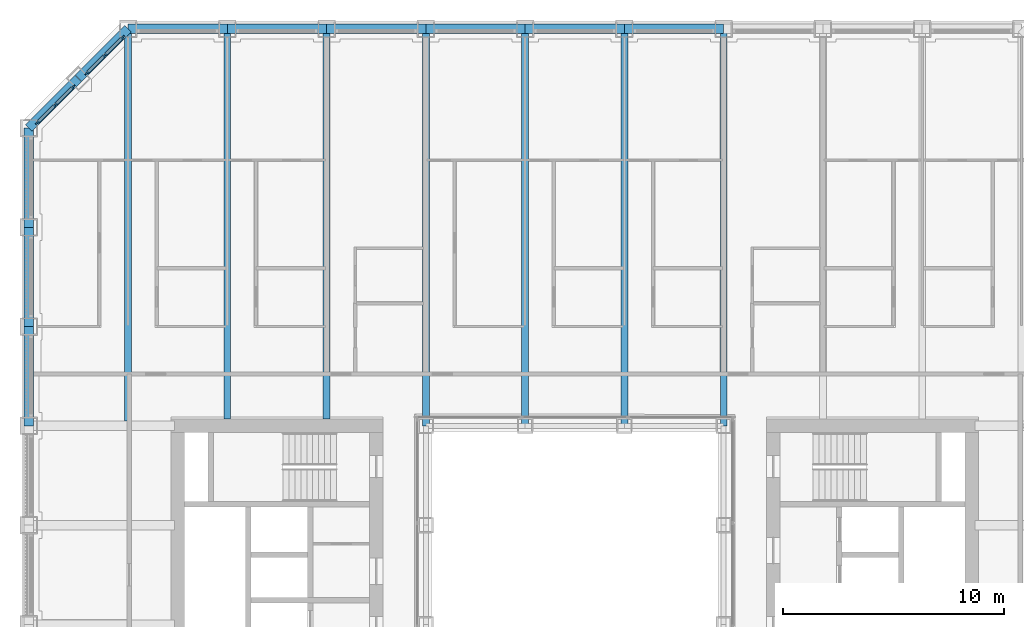
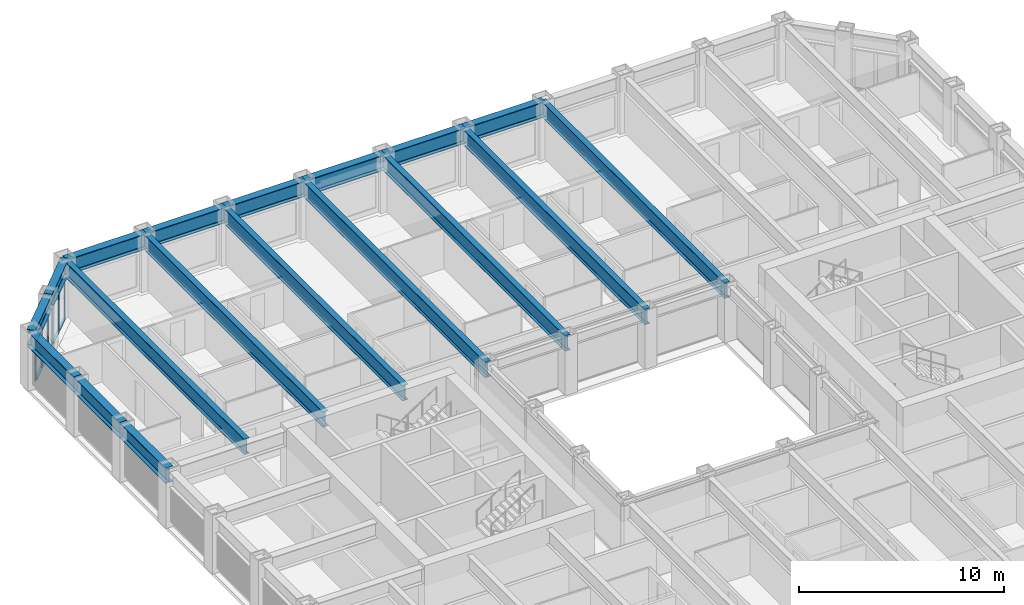
# One storey, part 6 of 20: 18 beams, 14 members, 2 elements without a shape of their own.
"""IFC4 building model written with IfcOpenShell, lengths in metres."""

from ifc_helpers import new_model, si_unit, direction, frame, origin, origin_2d, place, context, subcontext, project, spatial, rectangle, i_section, extrude, material, material_profile, profile_set, type_object, element, aggregate, save


model = new_model("IFC4")

# Units and contexts
model_context = context("Model", 3, precision=1e-05, world=origin(), true_north=direction((0.0, 1.0)))
body_context = subcontext(model_context, "Body", "Model", "MODEL_VIEW")
ifc_project = project(units=[si_unit("LENGTHUNIT", "METRE"), si_unit("AREAUNIT", "SQUARE_METRE"), si_unit("VOLUMEUNIT", "CUBIC_METRE"), si_unit("PLANEANGLEUNIT", "RADIAN"), si_unit("MASSUNIT", "GRAM", prefix="KILO")], contexts=[model_context])

# Site, building, storey
site_placement = place(None, origin())
site = spatial("IfcSite", under=ifc_project, at=site_placement, CompositionType="ELEMENT")
building_placement = place(site_placement, origin())
building = spatial("IfcBuilding", under=site, at=building_placement, Name="Msasa Ring Tower", CompositionType="ELEMENT")
storey_placement = place(building_placement, frame((0.0, 0.0, 65.0)))
storey = spatial("IfcBuildingStorey", under=building, at=storey_placement, Name="L16", CompositionType="ELEMENT", Elevation=65.0)

# Curtain wall, members
ifc_material_1 = material(Name="Aluminium curtain wall with clear glass", Category="aluminium")
curtain_wall_type = type_object("IfcCurtainWallType", Name="CW-C CHAMFER CORNER CURTAIN WALL", PredefinedType="NOTDEFINED", material=ifc_material_1)
curtain_wall_1_placement = place(storey_placement, origin())
curtain_wall_1 = element("IfcCurtainWall", 1, at=curtain_wall_1_placement, inside=storey, type_object=curtain_wall_type, Name="Chamfer corner curtain wall NW L16", PredefinedType="NOTDEFINED")
ifc_material_2 = material(Name="Aluminium mullion", Category="aluminium")
ifc_material_profile_1 = material_profile(ifc_material_2, rectangle(XDim=0.06494140625, YDim=0.179931640625, at=origin_2d()), Name="AL 65x180")
ifc_profile_set_1 = profile_set([ifc_material_profile_1], Name="Aluminium mullion")
member_type_1 = type_object("IfcMemberType", Name="CW-C MULLION 65x180", PredefinedType="MULLION", material=ifc_profile_set_1)
member_1_placement = place(storey_placement, frame((-22.73876953125, 22.119873046875, 0.0), z_axis=(0.0, 0.0, 1.0), x_axis=(0.707106781187, -0.707106781187, 0.0)))
member_1 = element("IfcMember", 2, at=member_1_placement, type_object=member_type_1, Name="CW-C mullion 1", PredefinedType="MULLION", context=body_context, shape_type="SweptSolid", body=[
    extrude(rectangle(XDim=0.06494140625, YDim=0.179931640625, at=origin_2d()), origin(), (0.0, 0.0, 1.0), 2.37890625),
])
member_2_placement = place(storey_placement, frame((-23.55419921875, 21.30419921875, 0.0), z_axis=(0.0, 0.0, 1.0), x_axis=(0.707106781187, -0.707106781187, 0.0)))
member_2 = element("IfcMember", 3, at=member_2_placement, type_object=member_type_1, Name="CW-C mullion 2", PredefinedType="MULLION", context=body_context, shape_type="SweptSolid", body=[
    extrude(rectangle(XDim=0.06494140625, YDim=0.179931640625, at=origin_2d()), origin(), (0.0, 0.0, 1.0), 2.37890625),
])
member_3_placement = place(storey_placement, frame((-24.369873046875, 20.48876953125, 0.0), z_axis=(0.0, 0.0, 1.0), x_axis=(0.707106781187, -0.707106781187, 0.0)))
member_3 = element("IfcMember", 4, at=member_3_placement, type_object=member_type_1, Name="CW-C mullion 3", PredefinedType="MULLION", context=body_context, shape_type="SweptSolid", body=[
    extrude(rectangle(XDim=0.06494140625, YDim=0.179931640625, at=origin_2d()), origin(), (0.0, 0.0, 1.0), 2.37890625),
])

curtain_wall_2_placement = place(storey_placement, origin())
curtain_wall_2 = element("IfcCurtainWall", 5, at=curtain_wall_2_placement, inside=storey, type_object=curtain_wall_type, Name="Chamfer corner curtain wall NW L16", PredefinedType="NOTDEFINED")
member_4_placement = place(storey_placement, frame((-20.48876953125, 24.369873046875, 0.0), z_axis=(0.0, 0.0, 1.0), x_axis=(0.707106781187, -0.707106781187, 0.0)))
member_4 = element("IfcMember", 6, at=member_4_placement, type_object=member_type_1, Name="CW-C mullion 1", PredefinedType="MULLION", context=body_context, shape_type="SweptSolid", body=[
    extrude(rectangle(XDim=0.06494140625, YDim=0.179931640625, at=origin_2d()), origin(), (0.0, 0.0, 1.0), 2.37890625),
])
member_5_placement = place(storey_placement, frame((-21.30419921875, 23.55419921875, 0.0), z_axis=(0.0, 0.0, 1.0), x_axis=(0.707106781187, -0.707106781187, 0.0)))
member_5 = element("IfcMember", 7, at=member_5_placement, type_object=member_type_1, Name="CW-C mullion 2", PredefinedType="MULLION", context=body_context, shape_type="SweptSolid", body=[
    extrude(rectangle(XDim=0.06494140625, YDim=0.179931640625, at=origin_2d()), origin(), (0.0, 0.0, 1.0), 2.37890625),
])
member_6_placement = place(storey_placement, frame((-22.119873046875, 22.73876953125, 0.0), z_axis=(0.0, 0.0, 1.0), x_axis=(0.707106781187, -0.707106781187, 0.0)))
member_6 = element("IfcMember", 8, at=member_6_placement, type_object=member_type_1, Name="CW-C mullion 3", PredefinedType="MULLION", context=body_context, shape_type="SweptSolid", body=[
    extrude(rectangle(XDim=0.06494140625, YDim=0.179931640625, at=origin_2d()), origin(), (0.0, 0.0, 1.0), 2.37890625),
])

# Member
ifc_material_3 = material(Name="Aluminium transom", Category="aluminium")
ifc_material_profile_2 = material_profile(ifc_material_3, rectangle(XDim=0.139892578125, YDim=0.06494140625, at=origin_2d()), Name="AL 65x140")
ifc_profile_set_2 = profile_set([ifc_material_profile_2], Name="Aluminium transom")
member_type_2 = type_object("IfcMemberType", Name="CW-C TRANSOM 65x140", PredefinedType="USERDEFINED", material=ifc_profile_set_2)
member_7_placement = place(storey_placement, frame((-22.76171875, 22.096923828125, 0.032470703125), z_axis=(-0.707106781187, -0.707106781187, 0.0), x_axis=(0.707106781187, -0.707106781187, 0.0)))
member_7 = element("IfcMember", 9, at=member_7_placement, type_object=member_type_2, Name="CW-C transom 1.1", ObjectType="TRANSOM", PredefinedType="USERDEFINED", context=body_context, shape_type="SweptSolid", body=[
    extrude(rectangle(XDim=0.139892578125, YDim=0.06494140625, at=origin_2d()), origin(), (0.0, 0.0, 1.0), 1.08837890625),
])

member_8_placement = place(storey_placement, frame((-22.76171875, 22.096923828125, 2.346435546875), z_axis=(-0.707106781187, -0.707106781187, 0.0), x_axis=(0.707106781187, -0.707106781187, 0.0)))
member_8 = element("IfcMember", 10, at=member_8_placement, type_object=member_type_2, Name="CW-C transom 1.2", ObjectType="TRANSOM", PredefinedType="USERDEFINED", context=body_context, shape_type="SweptSolid", body=[
    extrude(rectangle(XDim=0.139892578125, YDim=0.06494140625, at=origin_2d()), origin(), (0.0, 0.0, 1.0), 1.08837890625),
])

member_9_placement = place(storey_placement, frame((-23.577392578125, 21.28125, 0.032470703125), z_axis=(-0.707106781187, -0.707106781187, 0.0), x_axis=(0.707106781187, -0.707106781187, 0.0)))
member_9 = element("IfcMember", 11, at=member_9_placement, type_object=member_type_2, Name="CW-C transom 2.1", ObjectType="TRANSOM", PredefinedType="USERDEFINED", context=body_context, shape_type="SweptSolid", body=[
    extrude(rectangle(XDim=0.139892578125, YDim=0.06494140625, at=origin_2d()), origin(), (0.0, 0.0, 1.0), 1.08837890625),
])

member_10_placement = place(storey_placement, frame((-23.577392578125, 21.28125, 2.346435546875), z_axis=(-0.707106781187, -0.707106781187, 0.0), x_axis=(0.707106781187, -0.707106781187, 0.0)))
member_10 = element("IfcMember", 12, at=member_10_placement, type_object=member_type_2, Name="CW-C transom 2.2", ObjectType="TRANSOM", PredefinedType="USERDEFINED", context=body_context, shape_type="SweptSolid", body=[
    extrude(rectangle(XDim=0.139892578125, YDim=0.06494140625, at=origin_2d()), origin(), (0.0, 0.0, 1.0), 1.08837890625),
])

aggregate(curtain_wall_1, [member_1, member_2, member_3, member_7, member_8, member_9, member_10])

member_11_placement = place(storey_placement, frame((-20.51171875, 24.346923828125, 0.032470703125), z_axis=(-0.707106781187, -0.707106781187, 0.0), x_axis=(0.707106781187, -0.707106781187, 0.0)))
member_11 = element("IfcMember", 13, at=member_11_placement, type_object=member_type_2, Name="CW-C transom 1.1", ObjectType="TRANSOM", PredefinedType="USERDEFINED", context=body_context, shape_type="SweptSolid", body=[
    extrude(rectangle(XDim=0.139892578125, YDim=0.06494140625, at=origin_2d()), origin(), (0.0, 0.0, 1.0), 1.08837890625),
])

member_12_placement = place(storey_placement, frame((-20.51171875, 24.346923828125, 2.346435546875), z_axis=(-0.707106781187, -0.707106781187, 0.0), x_axis=(0.707106781187, -0.707106781187, 0.0)))
member_12 = element("IfcMember", 14, at=member_12_placement, type_object=member_type_2, Name="CW-C transom 1.2", ObjectType="TRANSOM", PredefinedType="USERDEFINED", context=body_context, shape_type="SweptSolid", body=[
    extrude(rectangle(XDim=0.139892578125, YDim=0.06494140625, at=origin_2d()), origin(), (0.0, 0.0, 1.0), 1.08837890625),
])

member_13_placement = place(storey_placement, frame((-21.327392578125, 23.53125, 0.032470703125), z_axis=(-0.707106781187, -0.707106781187, 0.0), x_axis=(0.707106781187, -0.707106781187, 0.0)))
member_13 = element("IfcMember", 15, at=member_13_placement, type_object=member_type_2, Name="CW-C transom 2.1", ObjectType="TRANSOM", PredefinedType="USERDEFINED", context=body_context, shape_type="SweptSolid", body=[
    extrude(rectangle(XDim=0.139892578125, YDim=0.06494140625, at=origin_2d()), origin(), (0.0, 0.0, 1.0), 1.08837890625),
])

member_14_placement = place(storey_placement, frame((-21.327392578125, 23.53125, 2.346435546875), z_axis=(-0.707106781187, -0.707106781187, 0.0), x_axis=(0.707106781187, -0.707106781187, 0.0)))
member_14 = element("IfcMember", 16, at=member_14_placement, type_object=member_type_2, Name="CW-C transom 2.2", ObjectType="TRANSOM", PredefinedType="USERDEFINED", context=body_context, shape_type="SweptSolid", body=[
    extrude(rectangle(XDim=0.139892578125, YDim=0.06494140625, at=origin_2d()), origin(), (0.0, 0.0, 1.0), 1.08837890625),
])

aggregate(curtain_wall_2, [member_4, member_5, member_6, member_11, member_12, member_13, member_14])

# Beams
ifc_material_4 = material(Name="Steel S355", Category="steel")
ifc_material_profile_3 = material_profile(ifc_material_4, i_section(OverallWidth=0.3076171875, OverallDepth=0.926513671875, WebThickness=0.01953125, FlangeThickness=0.031982421875, FilletRadius=0.01904296875, at=origin_2d()), Name="UB 914x305x289")
ifc_profile_set_3 = profile_set([ifc_material_profile_3], Name="Steel S355")
beam_type_1 = type_object("IfcBeamType", Name="FB3 UB 914x305x289", PredefinedType="BEAM", material=ifc_profile_set_3)
beam_placement = place(storey_placement, frame((-20.25, 24.75, 2.836669921875), z_axis=(0.0, -1.0, 0.0), x_axis=(1.0, 0.0, 0.0)))
element("IfcBeam", 17, at=beam_placement, inside=storey, type_object=beam_type_1, Name="Floor beam N-20.25 under L17", PredefinedType="BEAM", context=body_context, shape_type="SweptSolid", body=[
    extrude(i_section(OverallWidth=0.3076171875, OverallDepth=0.926513671875, WebThickness=0.01953125, FlangeThickness=0.031982421875, FilletRadius=0.01904296875, at=origin_2d()), origin(), (0.0, 0.0, 1.0), 17.789794921875),
])
for number, where, z_axis, x_axis, name in (
    (18, (-15.75, 24.75, 2.836669921875), (0.0, -1.0, 0.0), (1.0, 0.0, 0.0), "Floor beam N-15.75 under L17"),
    (19, (-11.25, 24.75, 2.836669921875), (0.0, -1.0, 0.0), (1.0, 0.0, 0.0), "Floor beam N-11.25 under L17"),
):
    element("IfcBeam", number, at=place(storey_placement, frame(where, z_axis=z_axis, x_axis=x_axis)), inside=storey, type_object=beam_type_1, Name=name, PredefinedType="BEAM", context=body_context, shape_type="SweptSolid", body=[
        extrude(i_section(OverallWidth=0.3076171875, OverallDepth=0.926513671875, WebThickness=0.01953125, FlangeThickness=0.031982421875, FilletRadius=0.01904296875, at=origin_2d()), origin(), (0.0, 0.0, 1.0), 17.699951171875),
    ])
for number, where, z_axis, x_axis, name in (
    (20, (-6.75, 24.75, 2.836669921875), (0.0, -1.0, 0.0), (1.0, 0.0, 0.0), "Floor beam N-6.75 under L17"),
    (21, (-2.25, 24.75, 2.836669921875), (0.0, -1.0, 0.0), (1.0, 0.0, 0.0), "Floor beam N-2.25 under L17"),
    (22, (2.25, 24.75, 2.836669921875), (0.0, -1.0, 0.0), (1.0, 0.0, 0.0), "Floor beam N+2.25 under L17"),
    (23, (6.75, 24.75, 2.836669921875), (0.0, -1.0, 0.0), (1.0, 0.0, 0.0), "Floor beam N+6.75 under L17"),
):
    element("IfcBeam", number, at=place(storey_placement, frame(where, z_axis=z_axis, x_axis=x_axis)), inside=storey, type_object=beam_type_1, Name=name, PredefinedType="BEAM", context=body_context, shape_type="SweptSolid", body=[
        extrude(i_section(OverallWidth=0.3076171875, OverallDepth=0.926513671875, WebThickness=0.01953125, FlangeThickness=0.031982421875, FilletRadius=0.01904296875, at=origin_2d()), origin(), (0.0, 0.0, 1.0), 18.0),
    ])
ifc_material_5 = material(Name="Steel S355", Category="steel")
ifc_material_profile_4 = material_profile(ifc_material_5, i_section(OverallWidth=0.42041015625, OverallDepth=0.9208984375, WebThickness=0.021484375, FlangeThickness=0.03662109375, FilletRadius=0.024169921875, at=origin_2d()), Name="UB 914x419x388")
ifc_profile_set_4 = profile_set([ifc_material_profile_4], Name="Steel S355")
beam_type_2 = type_object("IfcBeamType", Name="SB1 UB 914x419x388", PredefinedType="SPANDREL", material=ifc_profile_set_4)
for number, where, z_axis, x_axis, name in (
    (24, (6.75, 24.75, 2.839599609375), (-1.0, 0.0, 0.0), (0.0, -1.0, 0.0), "Spandrel N+6.75 to N+2.25 under L17"),
    (25, (2.25, 24.75, 2.839599609375), (-1.0, 0.0, 0.0), (0.0, -1.0, 0.0), "Spandrel N+2.25 to N-2.25 under L17"),
    (26, (-2.25, 24.75, 2.839599609375), (-1.0, 0.0, 0.0), (0.0, -1.0, 0.0), "Spandrel N-2.25 to N-6.75 under L17"),
    (27, (-6.75, 24.75, 2.839599609375), (-1.0, 0.0, 0.0), (0.0, -1.0, 0.0), "Spandrel N-6.75 to N-11.25 under L17"),
    (28, (-11.25, 24.75, 2.839599609375), (-1.0, 0.0, 0.0), (0.0, -1.0, 0.0), "Spandrel N-11.25 to N-15.75 under L17"),
    (29, (-15.75, 24.75, 2.839599609375), (-1.0, 0.0, 0.0), (0.0, -1.0, 0.0), "Spandrel N-15.75 to N-20.25 under L17"),
):
    element("IfcBeam", number, at=place(storey_placement, frame(where, z_axis=z_axis, x_axis=x_axis)), inside=storey, type_object=beam_type_2, Name=name, PredefinedType="SPANDREL", context=body_context, shape_type="SweptSolid", body=[
        extrude(i_section(OverallWidth=0.42041015625, OverallDepth=0.9208984375, WebThickness=0.021484375, FlangeThickness=0.03662109375, FilletRadius=0.024169921875, at=origin_2d()), origin(), (0.0, 0.0, 1.0), 4.5),
    ])
for number, where, z_axis, x_axis, name in (
    (30, (-20.25, 24.75, 2.839599609375), (-0.707106781187, -0.707106781187, 0.0), (0.707106781187, -0.707106781187, 0.0), "Spandrel N-20.25 to NW under L17"),
    (31, (-22.5, 22.5, 2.839599609375), (-0.707106781187, -0.707106781187, 0.0), (0.707106781187, -0.707106781187, 0.0), "Spandrel NW to W+20.25 under L17"),
):
    element("IfcBeam", number, at=place(storey_placement, frame(where, z_axis=z_axis, x_axis=x_axis)), inside=storey, type_object=beam_type_2, Name=name, PredefinedType="SPANDREL", context=body_context, shape_type="SweptSolid", body=[
        extrude(i_section(OverallWidth=0.42041015625, OverallDepth=0.9208984375, WebThickness=0.021484375, FlangeThickness=0.03662109375, FilletRadius=0.024169921875, at=origin_2d()), origin(), (0.0, 0.0, 1.0), 3.181884765625),
    ])
for number, where, z_axis, x_axis, name in (
    (32, (-24.75, 20.25, 2.839599609375), (0.0, -1.0, 0.0), (1.0, 0.0, 0.0), "Spandrel W+20.25 to W+15.75 under L17"),
    (33, (-24.75, 15.75, 2.839599609375), (0.0, -1.0, 0.0), (1.0, 0.0, 0.0), "Spandrel W+15.75 to W+11.25 under L17"),
    (34, (-24.75, 11.25, 2.839599609375), (0.0, -1.0, 0.0), (1.0, 0.0, 0.0), "Spandrel W+11.25 to W+6.75 under L17"),
):
    element("IfcBeam", number, at=place(storey_placement, frame(where, z_axis=z_axis, x_axis=x_axis)), inside=storey, type_object=beam_type_2, Name=name, PredefinedType="SPANDREL", context=body_context, shape_type="SweptSolid", body=[
        extrude(i_section(OverallWidth=0.42041015625, OverallDepth=0.9208984375, WebThickness=0.021484375, FlangeThickness=0.03662109375, FilletRadius=0.024169921875, at=origin_2d()), origin(), (0.0, 0.0, 1.0), 4.5),
    ])

save(model, "model.ifc")
